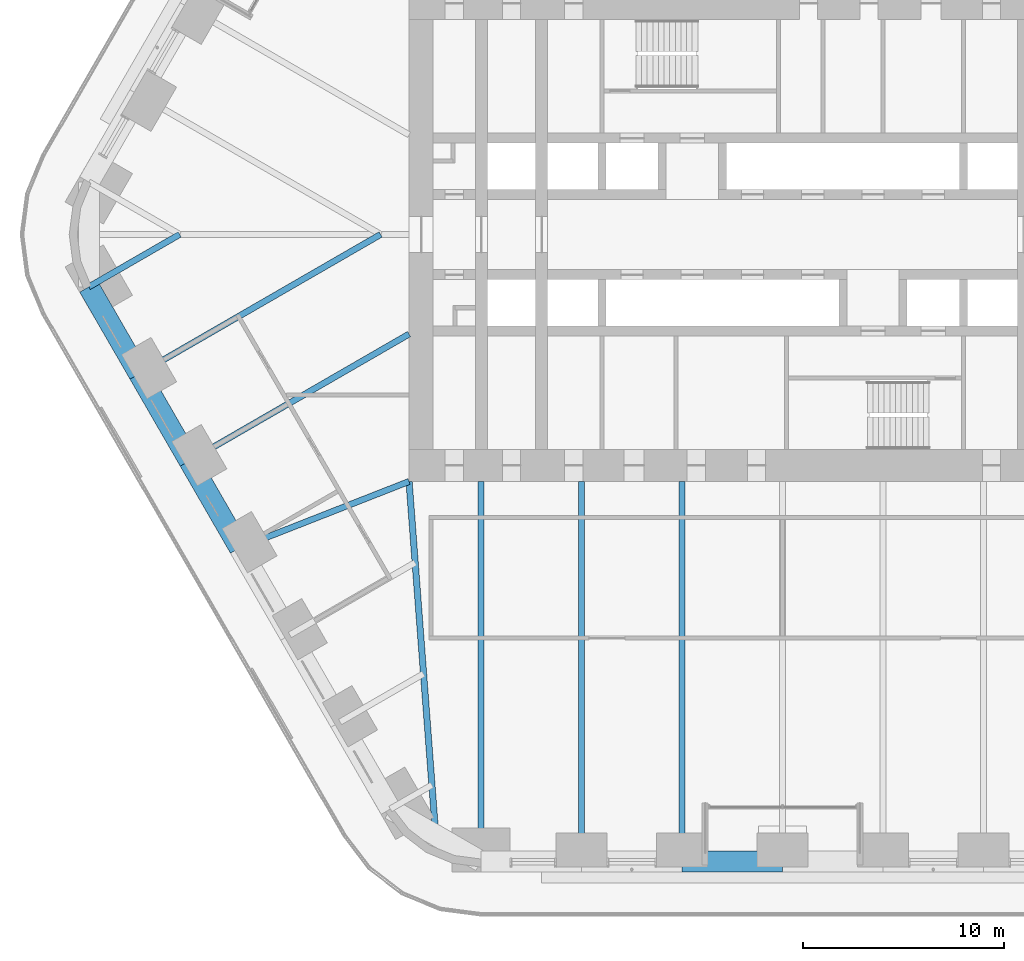
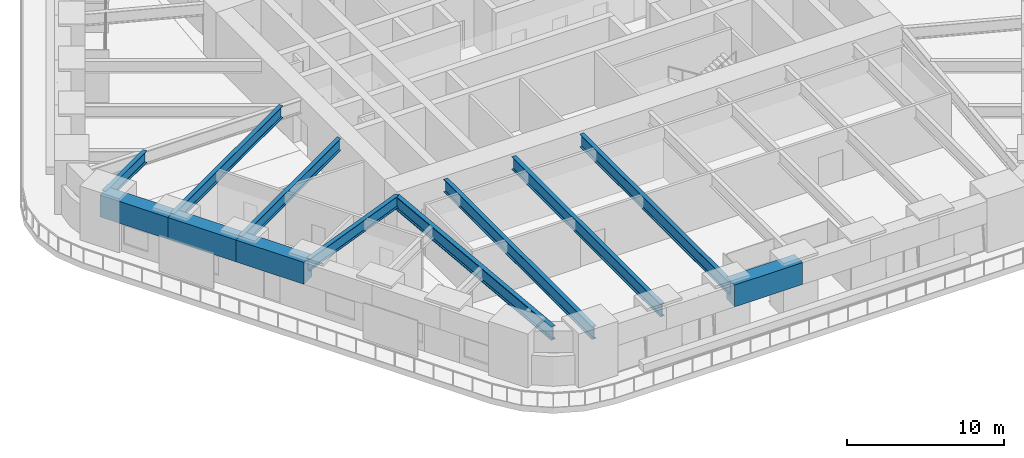
# One storey, part 3 of 24: 12 beams.
"""IFC4 building model written with IfcOpenShell, lengths in metres."""

from ifc_helpers import new_model, si_unit, direction, frame, origin, origin_2d, place, context, subcontext, project, spatial, rectangle, i_section, extrude, material, material_profile, profile_set, type_object, element, save


model = new_model("IFC4")

# Units and contexts
model_context = context("Model", 3, precision=1e-05, world=origin(), true_north=direction((0.0, 1.0)))
body_context = subcontext(model_context, "Body", "Model", "MODEL_VIEW")
ifc_project = project(units=[si_unit("LENGTHUNIT", "METRE"), si_unit("AREAUNIT", "SQUARE_METRE"), si_unit("VOLUMEUNIT", "CUBIC_METRE"), si_unit("PLANEANGLEUNIT", "RADIAN"), si_unit("MASSUNIT", "GRAM", prefix="KILO")], contexts=[model_context])

# Site, building, storey
site_placement = place(None, origin())
site = spatial("IfcSite", under=ifc_project, at=site_placement, CompositionType="ELEMENT")
building_placement = place(site_placement, origin())
building = spatial("IfcBuilding", under=site, at=building_placement, Name="Tarfa Lantern Tower", CompositionType="ELEMENT")
storey_placement = place(building_placement, frame((0.0, 0.0, 119.5)))
storey = spatial("IfcBuildingStorey", under=building, at=storey_placement, Name="L26", CompositionType="ELEMENT", Elevation=119.5)

# Beams
ifc_material_1 = material(Name="Concrete C80/95", Category="concrete")
ifc_material_profile_1 = material_profile(ifc_material_1, rectangle(XDim=1.050048828125, YDim=1.699951171875, at=origin_2d()), Name="RC 1050x1700")
ifc_profile_set_1 = profile_set([ifc_material_profile_1], Name="Concrete C80/95")
beam_type_1 = type_object("IfcBeamType", Name="RB2 RC 1050x1700", PredefinedType="BEAM", material=ifc_profile_set_1)
for number, where, z_axis, x_axis, name in (
    (1, (-34.54296875, -2.610107421875, 3.14990234375), (0.500022324899, -0.866012514114, 0.0), (0.866012514114, 0.500022324899, 0.0), "Edge beam SW0"),
    (2, (-32.041015625, -6.943359375, 3.14990234375), (0.500022324899, -0.866012514114, 0.0), (0.866012514114, 0.500022324899, 0.0), "Edge beam SW1"),
    (3, (-29.5390625, -11.276611328125, 3.14990234375), (0.499964603504, -0.866045838996, 0.0), (0.866045838996, 0.499964603504, 0.0), "Edge beam SW2"),
    (4, (-5.003662109375, -31.219970703125, 3.14990234375), (1.0, 0.0, 0.0), (0.0, 1.0, 0.0), "Edge beam S2"),
):
    element("IfcBeam", number, at=place(storey_placement, frame(where, z_axis=z_axis, x_axis=x_axis)), inside=storey, type_object=beam_type_1, Name=name, PredefinedType="BEAM", context=body_context, shape_type="SweptSolid", body=[
        extrude(rectangle(XDim=1.050048828125, YDim=1.699951171875, at=origin_2d()), origin(), (0.0, 0.0, 1.0), 5.003662109375),
    ])
ifc_material_2 = material(Name="Steel S460M", Category="steel")
ifc_material_profile_2 = material_profile(ifc_material_2, i_section(OverallWidth=0.302001953125, OverallDepth=1.008056640625, WebThickness=0.02099609375, FlangeThickness=0.0400390625, FilletRadius=0.030029296875, at=origin_2d()), Name="UB1016x305x349")
ifc_profile_set_2 = profile_set([ifc_material_profile_2], Name="Steel S460M")
beam_type_2 = type_object("IfcBeamType", Name="UB1016x305x349", PredefinedType="BEAM", material=ifc_profile_set_2)
for number, where, z_axis, x_axis, name in (
    (5, (-15.010986328125, -31.219970703125, 3.495849609375), (0.0, 1.0, 0.0), (-1.0, 0.0, 0.0), "Floor beam S0"),
    (6, (-10.00732421875, -31.219970703125, 3.495849609375), (0.0, 1.0, 0.0), (-1.0, 0.0, 0.0), "Floor beam S1"),
    (7, (-5.003662109375, -31.219970703125, 3.495849609375), (0.0, 1.0, 0.0), (-1.0, 0.0, 0.0), "Floor beam S2"),
):
    element("IfcBeam", number, at=place(storey_placement, frame(where, z_axis=z_axis, x_axis=x_axis)), inside=storey, type_object=beam_type_2, Name=name, PredefinedType="BEAM", context=body_context, shape_type="SweptSolid", body=[
        extrude(i_section(OverallWidth=0.302001953125, OverallDepth=1.008056640625, WebThickness=0.02099609375, FlangeThickness=0.0400390625, FilletRadius=0.030029296875, at=origin_2d()), origin(), (0.0, 0.0, 1.0), 18.919921875),
    ])
ifc_material_profile_3 = material_profile(ifc_material_2, i_section(OverallWidth=0.314208984375, OverallDepth=1.055908203125, WebThickness=0.035888671875, FlangeThickness=0.06396484375, FilletRadius=0.030029296875, at=origin_2d()), Name="UB1016x305x584")
ifc_profile_set_3 = profile_set([ifc_material_profile_3], Name="Steel S460M")
beam_type_3 = type_object("IfcBeamType", Name="UB1016x305x584", PredefinedType="BEAM", material=ifc_profile_set_3)
beam_1_placement = place(storey_placement, frame((-18.60009765625, -12.300048828125, 3.471923828125), z_axis=(0.075211516041, -0.99716760269, 0.0), x_axis=(0.99716760269, 0.075211516041, 0.0)))
element("IfcBeam", 8, at=beam_1_placement, inside=storey, type_object=beam_type_3, Name="Hip girder SW", PredefinedType="BEAM", context=body_context, shape_type="SweptSolid", body=[
    extrude(i_section(OverallWidth=0.314208984375, OverallDepth=1.055908203125, WebThickness=0.035888671875, FlangeThickness=0.06396484375, FilletRadius=0.030029296875, at=origin_2d()), origin(), (0.0, 0.0, 1.0), 17.6650390625),
])
ifc_material_profile_4 = material_profile(ifc_material_2, i_section(OverallWidth=0.305419921875, OverallDepth=0.91845703125, WebThickness=0.017333984375, FlangeThickness=0.02783203125, FilletRadius=0.01904296875, at=origin_2d()), Name="UB914x305x253")
ifc_profile_set_4 = profile_set([ifc_material_profile_4], Name="Steel S460M")
beam_type_4 = type_object("IfcBeamType", Name="UB914x305x253", PredefinedType="BEAM", material=ifc_profile_set_4)
beam_2_placement = place(storey_placement, frame((-34.54296875, -2.610107421875, 3.540771484375), z_axis=(0.866021250859, 0.500007193008, 0.0), x_axis=(-0.500007193008, 0.866021250859, 0.0)))
element("IfcBeam", 9, at=beam_2_placement, inside=storey, type_object=beam_type_4, Name="Floor beam SW0", PredefinedType="BEAM", context=body_context, shape_type="SweptSolid", body=[
    extrude(i_section(OverallWidth=0.305419921875, OverallDepth=0.91845703125, WebThickness=0.017333984375, FlangeThickness=0.02783203125, FilletRadius=0.01904296875, at=origin_2d()), origin(), (0.0, 0.0, 1.0), 5.22021484375),
])
beam_3_placement = place(storey_placement, frame((-32.041015625, -6.943359375, 3.540771484375), z_axis=(0.866023096411, 0.500003996466, 0.0), x_axis=(-0.500003996466, 0.866023096411, 0.0)))
element("IfcBeam", 10, at=beam_3_placement, inside=storey, type_object=beam_type_4, Name="Floor beam SW1", PredefinedType="BEAM", context=body_context, shape_type="SweptSolid", body=[
    extrude(i_section(OverallWidth=0.305419921875, OverallDepth=0.91845703125, WebThickness=0.017333984375, FlangeThickness=0.02783203125, FilletRadius=0.01904296875, at=origin_2d()), origin(), (0.0, 0.0, 1.0), 13.88671875),
])
beam_4_placement = place(storey_placement, frame((-29.5390625, -11.276611328125, 3.540771484375), z_axis=(0.866023362995, 0.500003534735, 0.0), x_axis=(-0.500003534735, 0.866023362995, 0.0)))
element("IfcBeam", 11, at=beam_4_placement, inside=storey, type_object=beam_type_4, Name="Floor beam SW2", PredefinedType="BEAM", context=body_context, shape_type="SweptSolid", body=[
    extrude(i_section(OverallWidth=0.305419921875, OverallDepth=0.91845703125, WebThickness=0.017333984375, FlangeThickness=0.02783203125, FilletRadius=0.01904296875, at=origin_2d()), origin(), (0.0, 0.0, 1.0), 12.63134765625),
])
beam_5_placement = place(storey_placement, frame((-27.037353515625, -15.610107421875, 3.540771484375), z_axis=(0.930923282782, 0.365214788274, 0.0), x_axis=(-0.365214788274, 0.930923282782, 0.0)))
element("IfcBeam", 12, at=beam_5_placement, inside=storey, type_object=beam_type_4, Name="Floor beam SW3", PredefinedType="BEAM", context=body_context, shape_type="SweptSolid", body=[
    extrude(i_section(OverallWidth=0.305419921875, OverallDepth=0.91845703125, WebThickness=0.017333984375, FlangeThickness=0.02783203125, FilletRadius=0.01904296875, at=origin_2d()), origin(), (0.0, 0.0, 1.0), 9.063232421875),
])

save(model, "model.ifc")
